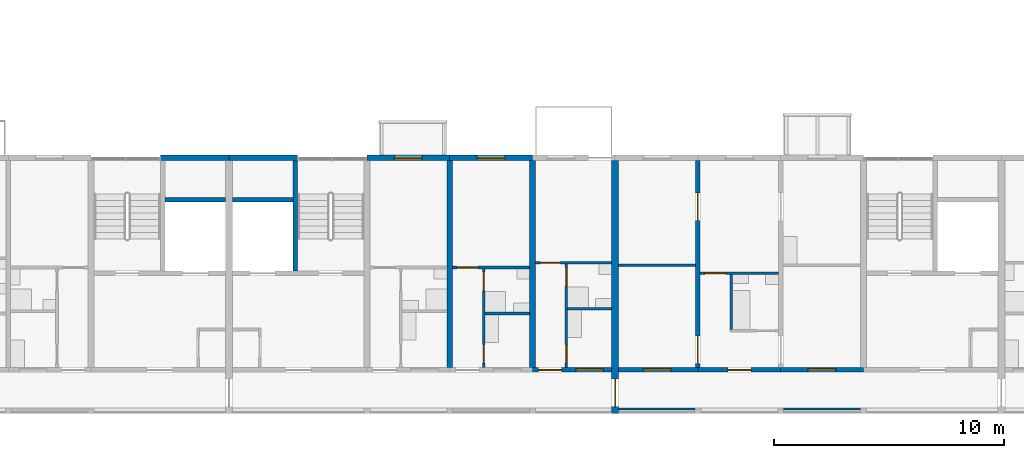
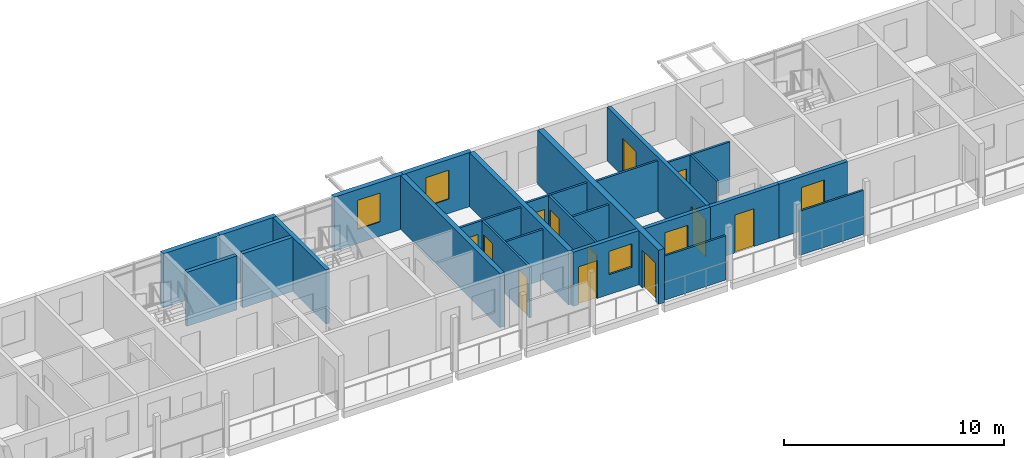
# One storey, part 31 of 99: 26 walls, 12 doors, 5 windows, 17 openings.
"""IFC4 building model written with IfcOpenShell, lengths in metres."""

from ifc_helpers import new_model, si_unit, direction, frame, frame_2d, origin, place, context, subcontext, project, spatial, rectangle, extrude, material, layer, layer_set, type_object, element, fill, save


model = new_model("IFC4")

# Units and contexts
model_context = context("Model", 3, precision=1e-05, world=origin(), true_north=direction((0.0, 1.0)))
body_context = subcontext(model_context, "Body", "Model", "MODEL_VIEW")
ifc_project = project(units=[si_unit("LENGTHUNIT", "METRE"), si_unit("AREAUNIT", "SQUARE_METRE"), si_unit("VOLUMEUNIT", "CUBIC_METRE"), si_unit("PLANEANGLEUNIT", "RADIAN"), si_unit("MASSUNIT", "GRAM", prefix="KILO")], contexts=[model_context])

# Site, building, storey
site_placement = place(None, origin())
site = spatial("IfcSite", under=ifc_project, at=site_placement, CompositionType="ELEMENT")
building_placement = place(site_placement, origin())
building = spatial("IfcBuilding", under=site, at=building_placement, Name="Ridgestep Commons", CompositionType="ELEMENT")
storey_placement = place(building_placement, frame((0.0, 0.0, 15.0)))
storey = spatial("IfcBuildingStorey", under=building, at=storey_placement, Name="L05", CompositionType="ELEMENT", Elevation=15.0)

# Walls
ifc_material_1 = material(Name="Concrete C30/37", Category="concrete")
ifc_layer_1 = layer(ifc_material_1, 0.199951171875)
ifc_layer_set_1 = layer_set([ifc_layer_1], Name="Core wall 200")
wall_type_1 = type_object("IfcWallType", Name="Core wall 200", PredefinedType="SHEAR", material=ifc_layer_set_1)
wall_1_placement = place(storey_placement, frame((42.824951171875, 21.050048828125, 0.0), z_axis=(0.0, 0.0, 1.0), x_axis=(1.0, 0.0, 0.0)))
element("IfcWall", 1, at=wall_1_placement, inside=storey, type_object=wall_type_1, Name="Core duct wall A2C L05", PredefinedType="SHEAR", context=body_context, shape_type="SweptSolid", body=[
    extrude(rectangle(XDim=2.625, YDim=0.199951171875, at=frame_2d((1.3125, 0.0))), origin(), (0.0, 0.0, 1.0), 3.0),
])
wall_2_placement = place(storey_placement, frame((48.47509765625, 17.949951171875, 0.0), z_axis=(0.0, 0.0, 1.0), x_axis=(0.0, 1.0, 0.0)))
element("IfcWall", 2, at=wall_2_placement, inside=storey, type_object=wall_type_1, Name="Core stair wall A3C L05", PredefinedType="SHEAR", context=body_context, shape_type="SweptSolid", body=[
    extrude(rectangle(XDim=4.800048828125, YDim=0.199951171875, at=frame_2d((2.39990234375, 0.0))), origin(), (0.0, 0.0, 1.0), 3.0),
])
wall_3_placement = place(storey_placement, frame((45.75, 21.050048828125, 0.0), z_axis=(0.0, 0.0, 1.0), x_axis=(1.0, 0.0, 0.0)))
element("IfcWall", 3, at=wall_3_placement, inside=storey, type_object=wall_type_1, Name="Core duct wall A3C L05", PredefinedType="SHEAR", context=body_context, shape_type="SweptSolid", body=[
    extrude(rectangle(XDim=2.625, YDim=0.199951171875, at=frame_2d((1.3125, 0.0))), origin(), (0.0, 0.0, 1.0), 3.0),
])

# Wall, openings, doors
ifc_material_2 = material(Name="Precast concrete C40/50", Category="concrete")
ifc_layer_2 = layer(ifc_material_2, 0.199951171875)
ifc_layer_set_2 = layer_set([ifc_layer_2], Name="Cross wall 200")
wall_type_2 = type_object("IfcWallType", Name="Cross wall 200", PredefinedType="SHEAR", material=ifc_layer_set_2)
wall_4_placement = place(storey_placement, frame((66.0, 13.75, 0.0), z_axis=(0.0, 0.0, 1.0), x_axis=(0.0, 1.0, 0.0)))
wall_4 = element("IfcWall", 4, at=wall_4_placement, inside=storey, type_object=wall_type_2, Name="Cross wall A-05-0660", PredefinedType="SHEAR", context=body_context, shape_type="SweptSolid", body=[
    extrude(rectangle(XDim=9.0, YDim=0.199951171875, at=frame_2d((4.5, 0.0))), origin(), (0.0, 0.0, 1.0), 3.0),
])
opening_1_placement = place(wall_4_placement, frame((0.175048828125, 0.0, 0.0)))
opening_1 = element("IfcOpeningElement", 5, at=opening_1_placement, cuts=wall_4, Name="Opening A4-05a/4", PredefinedType="OPENING", context=body_context, shape_type="SweptSolid", body=[
    extrude(rectangle(XDim=1.199951171875, YDim=2.10009765625, at=frame_2d((0.60009765625, 1.050048828125))), frame((0.0, 0.10986328125, 0.0), z_axis=(0.0, -1.0, 0.0), x_axis=(1.0, 0.0, 0.0)), (0.0, 0.0, 1.0), 0.219970703125),
])
opening_2_placement = place(wall_4_placement, frame((6.39990234375, 0.0, 0.0)))
opening_2 = element("IfcOpeningElement", 6, at=opening_2_placement, cuts=wall_4, Name="Opening A4-05a/5", PredefinedType="OPENING", context=body_context, shape_type="SweptSolid", body=[
    extrude(rectangle(XDim=1.199951171875, YDim=2.10009765625, at=frame_2d((0.60009765625, 1.050048828125))), frame((0.0, 0.10986328125, 0.0), z_axis=(0.0, -1.0, 0.0), x_axis=(1.0, 0.0, 0.0)), (0.0, 0.0, 1.0), 0.219970703125),
])
ifc_material_3 = material(Name="Timber door leaf", Category="wood")
door_type_1 = type_object("IfcDoorType", Name="Double door 1200 x 2100", OperationType="DOUBLE_DOOR_SINGLE_SWING", PredefinedType="DOOR", material=ifc_material_3)
door_1_placement = place(opening_1_placement, origin())
door_1 = element("IfcDoor", 7, at=door_1_placement, inside=storey, type_object=door_type_1, Name="Double door A4-05a/4", OperationType="DOUBLE_DOOR_SINGLE_SWING", OverallHeight=2.10009765625, OverallWidth=1.199951171875, PredefinedType="DOOR", context=body_context, shape_type="SweptSolid", body=[
    extrude(rectangle(XDim=1.199951171875, YDim=2.10009765625, at=frame_2d((0.60009765625, 1.050048828125))), frame((0.0, 0.02490234375, 0.0), z_axis=(0.0, -1.0, 0.0), x_axis=(1.0, 0.0, 0.0)), (0.0, 0.0, 1.0), 0.050048828125),
])
fill(opening_1, door_1)
door_2_placement = place(opening_2_placement, origin())
door_2 = element("IfcDoor", 8, at=door_2_placement, inside=storey, type_object=door_type_1, Name="Double door A4-05a/5", OperationType="DOUBLE_DOOR_SINGLE_SWING", OverallHeight=2.10009765625, OverallWidth=1.199951171875, PredefinedType="DOOR", context=body_context, shape_type="SweptSolid", body=[
    extrude(rectangle(XDim=1.199951171875, YDim=2.10009765625, at=frame_2d((0.60009765625, 1.050048828125))), frame((0.0, 0.02490234375, 0.0), z_axis=(0.0, -1.0, 0.0), x_axis=(1.0, 0.0, 0.0)), (0.0, 0.0, 1.0), 0.050048828125),
])
fill(opening_2, door_2)

# Walls
ifc_material_4 = material(Name="Precast concrete C40/50", Category="concrete")
ifc_layer_3 = layer(ifc_material_4, 0.25)
ifc_layer_set_3 = layer_set([ifc_layer_3], Name="Cross wall 250")
wall_type_3 = type_object("IfcWallType", Name="Cross wall 250", PredefinedType="SHEAR", material=ifc_layer_set_3)
for number, where, z_axis, x_axis, name in (
    (9, (55.199951171875, 13.75, 0.0), (0.0, 0.0, 1.0), (0.0, 1.0, 0.0), "Cross wall A-05-0552"),
    (10, (58.800048828125, 13.75, 0.0), (0.0, 0.0, 1.0), (0.0, 1.0, 0.0), "Cross wall A-05-0588"),
):
    element("IfcWall", number, at=place(storey_placement, frame(where, z_axis=z_axis, x_axis=x_axis)), inside=storey, type_object=wall_type_3, Name=name, PredefinedType="SHEAR", context=body_context, shape_type="SweptSolid", body=[
        extrude(rectangle(XDim=9.0, YDim=0.25, at=frame_2d((4.5, 0.0))), origin(), (0.0, 0.0, 1.0), 3.0),
    ])

# Wall, opening, door
ifc_material_5 = material(Name="Precast concrete C40/50", Category="concrete")
ifc_layer_4 = layer(ifc_material_5, 0.300048828125)
ifc_layer_set_4 = layer_set([ifc_layer_4], Name="Division wall 300")
wall_type_4 = type_object("IfcWallType", Name="Division wall 300", PredefinedType="SHEAR", material=ifc_layer_set_4)
wall_5_placement = place(storey_placement, frame((62.39990234375, 11.75, 0.0), z_axis=(0.0, 0.0, 1.0), x_axis=(0.0, 1.0, 0.0)))
wall_5 = element("IfcWall", 11, at=wall_5_placement, inside=storey, type_object=wall_type_4, Name="Cross wall A-05-0624", PredefinedType="SHEAR", context=body_context, shape_type="SweptSolid", body=[
    extrude(rectangle(XDim=11.0, YDim=0.300048828125, at=frame_2d((5.5, 0.0))), origin(), (0.0, 0.0, 1.0), 3.0),
])
opening_3_placement = place(wall_5_placement, frame((0.300048828125, 0.0, 0.0)))
opening_3 = element("IfcOpeningElement", 12, at=opening_3_placement, cuts=wall_5, Name="Opening A/05/G0624", PredefinedType="OPENING", context=body_context, shape_type="SweptSolid", body=[
    extrude(rectangle(XDim=1.199951171875, YDim=2.10009765625, at=frame_2d((0.60009765625, 1.050048828125))), frame((0.0, 0.159912109375, 0.0), z_axis=(0.0, -1.0, 0.0), x_axis=(1.0, 0.0, 0.0)), (0.0, 0.0, 1.0), 0.320068359375),
])
ifc_material_6 = material(Name="Steel fire door", Category="steel")
door_type_2 = type_object("IfcDoorType", Name="Division fire door 1200 x 2100 EI 240", OperationType="DOUBLE_DOOR_SINGLE_SWING", PredefinedType="DOOR", material=ifc_material_6)
door_3_placement = place(opening_3_placement, origin())
door_3 = element("IfcDoor", 13, at=door_3_placement, inside=storey, type_object=door_type_2, Name="Division fire door A/05/G0624", OperationType="DOUBLE_DOOR_SINGLE_SWING", OverallHeight=2.10009765625, OverallWidth=1.199951171875, PredefinedType="DOOR", context=body_context, shape_type="SweptSolid", body=[
    extrude(rectangle(XDim=1.199951171875, YDim=2.10009765625, at=frame_2d((0.60009765625, 1.050048828125))), frame((0.0, 0.02490234375, 0.0), z_axis=(0.0, -1.0, 0.0), x_axis=(1.0, 0.0, 0.0)), (0.0, 0.0, 1.0), 0.050048828125),
])
fill(opening_3, door_3)

# Walls
ifc_material_7 = material(Name="Precast concrete C40/50", Category="concrete")
ifc_layer_5 = layer(ifc_material_7, 0.25)
ifc_layer_set_5 = layer_set([ifc_layer_5], Name="North facade panel 250")
wall_type_5 = type_object("IfcWallType", Name="North facade panel 250", PredefinedType="SOLIDWALL", material=ifc_layer_set_5)
wall_6_placement = place(storey_placement, frame((42.625, 22.875, 0.0), z_axis=(0.0, 0.0, 1.0), x_axis=(1.0, 0.0, 0.0)))
element("IfcWall", 14, at=wall_6_placement, inside=storey, type_object=wall_type_5, Name="North panel A2C L05", PredefinedType="SOLIDWALL", context=body_context, shape_type="SweptSolid", body=[
    extrude(rectangle(XDim=2.97509765625, YDim=0.25, at=frame_2d((1.487548828125, 0.0))), origin(), (0.0, 0.0, 1.0), 3.0),
])
wall_7_placement = place(storey_placement, frame((45.60009765625, 22.875, 0.0), z_axis=(0.0, 0.0, 1.0), x_axis=(1.0, 0.0, 0.0)))
element("IfcWall", 15, at=wall_7_placement, inside=storey, type_object=wall_type_5, Name="North panel A3C L05", PredefinedType="SOLIDWALL", context=body_context, shape_type="SweptSolid", body=[
    extrude(rectangle(XDim=2.974853515625, YDim=0.25, at=frame_2d((1.4873046875, 0.0))), origin(), (0.0, 0.0, 1.0), 3.0),
])

# Wall, opening, window
wall_8_placement = place(storey_placement, frame((51.60009765625, 22.875, 0.0), z_axis=(0.0, 0.0, 1.0), x_axis=(1.0, 0.0, 0.0)))
wall_8 = element("IfcWall", 16, at=wall_8_placement, inside=storey, type_object=wall_type_5, Name="North panel A3T3 L05", PredefinedType="SOLIDWALL", context=body_context, shape_type="SweptSolid", body=[
    extrude(rectangle(XDim=3.599853515625, YDim=0.25, at=frame_2d((1.7998046875, 0.0))), origin(), (0.0, 0.0, 1.0), 3.0),
])
opening_4_placement = place(wall_8_placement, frame((1.199951171875, 0.0, 0.800048828125)))
opening_4 = element("IfcOpeningElement", 17, at=opening_4_placement, cuts=wall_8, Name="Opening W11", PredefinedType="OPENING", context=body_context, shape_type="SweptSolid", body=[
    extrude(rectangle(XDim=1.199951171875, YDim=1.60009765625, at=frame_2d((0.60009765625, 0.800048828125))), frame((0.0, 0.135009765625, 0.0), z_axis=(0.0, -1.0, 0.0), x_axis=(1.0, 0.0, 0.0)), (0.0, 0.0, 1.0), 0.27001953125),
])
ifc_material_8 = material(Name="Aluminium 6063-T6 and glass", Category="aluminium")
window_type_1 = type_object("IfcWindowType", Name="Flat window 1200 x 1600", PartitioningType="SINGLE_PANEL", PredefinedType="WINDOW", material=ifc_material_8)
window_1_placement = place(opening_4_placement, origin())
window_1 = element("IfcWindow", 18, at=window_1_placement, inside=storey, type_object=window_type_1, Name="Window A3-05c 2", OverallHeight=1.60009765625, OverallWidth=1.199951171875, PartitioningType="SINGLE_PANEL", PredefinedType="WINDOW", context=body_context, shape_type="SweptSolid", body=[
    extrude(rectangle(XDim=1.199951171875, YDim=1.60009765625, at=frame_2d((0.60009765625, 0.800048828125))), frame((0.0, -0.02490234375, 0.0), z_axis=(0.0, -1.0, 0.0), x_axis=(1.0, 0.0, 0.0)), (0.0, 0.0, 1.0), 0.06005859375),
])
fill(opening_4, window_1)

wall_9_placement = place(storey_placement, frame((55.199951171875, 22.875, 0.0), z_axis=(0.0, 0.0, 1.0), x_axis=(1.0, 0.0, 0.0)))
wall_9 = element("IfcWall", 19, at=wall_9_placement, inside=storey, type_object=wall_type_5, Name="North panel A3T2 L05", PredefinedType="SOLIDWALL", context=body_context, shape_type="SweptSolid", body=[
    extrude(rectangle(XDim=3.60009765625, YDim=0.25, at=frame_2d((1.800048828125, 0.0))), origin(), (0.0, 0.0, 1.0), 3.0),
])
opening_5_placement = place(wall_9_placement, frame((1.199951171875, 0.0, 0.800048828125)))
opening_5 = element("IfcOpeningElement", 20, at=opening_5_placement, cuts=wall_9, Name="Opening W11", PredefinedType="OPENING", context=body_context, shape_type="SweptSolid", body=[
    extrude(rectangle(XDim=1.199951171875, YDim=1.60009765625, at=frame_2d((0.60009765625, 0.800048828125))), frame((0.0, 0.135009765625, 0.0), z_axis=(0.0, -1.0, 0.0), x_axis=(1.0, 0.0, 0.0)), (0.0, 0.0, 1.0), 0.27001953125),
])
window_2_placement = place(opening_5_placement, origin())
window_2 = element("IfcWindow", 21, at=window_2_placement, inside=storey, type_object=window_type_1, Name="Window A3-05b 2", OverallHeight=1.60009765625, OverallWidth=1.199951171875, PartitioningType="SINGLE_PANEL", PredefinedType="WINDOW", context=body_context, shape_type="SweptSolid", body=[
    extrude(rectangle(XDim=1.199951171875, YDim=1.60009765625, at=frame_2d((0.60009765625, 0.800048828125))), frame((0.0, -0.02490234375, 0.0), z_axis=(0.0, -1.0, 0.0), x_axis=(1.0, 0.0, 0.0)), (0.0, 0.0, 1.0), 0.06005859375),
])
fill(opening_5, window_2)

# Wall, openings, doors
ifc_material_9 = material(Name="Common brick 110 mm", Category="masonry")
ifc_layer_6 = layer(ifc_material_9, 0.110107421875)
ifc_layer_set_6 = layer_set([ifc_layer_6], Name="Partition 110")
wall_type_6 = type_object("IfcWallType", Name="Partition 110", PredefinedType="PARTITIONING", material=ifc_layer_set_6)
wall_10_placement = place(storey_placement, frame((60.280029296875, 13.75, 0.0), z_axis=(0.0, 0.0, 1.0), x_axis=(0.0, 1.0, 0.0)))
wall_10 = element("IfcWall", 22, at=wall_10_placement, inside=storey, type_object=wall_type_6, Name="Partition A3-05a", PredefinedType="PARTITIONING", context=body_context, shape_type="SweptSolid", body=[
    extrude(rectangle(XDim=4.5, YDim=0.110107421875, at=frame_2d((2.25, 0.0))), origin(), (0.0, 0.0, 1.0), 2.800048828125),
])
opening_6_placement = place(wall_10_placement, frame((0.199951171875, 0.0, 0.0)))
opening_6 = element("IfcOpeningElement", 23, at=opening_6_placement, cuts=wall_10, Name="Opening A3-05a/2", PredefinedType="OPENING", context=body_context, shape_type="SweptSolid", body=[
    extrude(rectangle(XDim=0.800048828125, YDim=2.10009765625, at=frame_2d((0.39990234375, 1.050048828125))), frame((0.0, 0.06494140625, 0.0), z_axis=(0.0, -1.0, 0.0), x_axis=(1.0, 0.0, 0.0)), (0.0, 0.0, 1.0), 0.130126953125),
])
opening_7_placement = place(wall_10_placement, frame((3.550048828125, 0.0, 0.0)))
opening_7 = element("IfcOpeningElement", 24, at=opening_7_placement, cuts=wall_10, Name="Opening A3-05a/3", PredefinedType="OPENING", context=body_context, shape_type="SweptSolid", body=[
    extrude(rectangle(XDim=0.800048828125, YDim=2.10009765625, at=frame_2d((0.39990234375, 1.050048828125))), frame((0.0, 0.06494140625, 0.0), z_axis=(0.0, -1.0, 0.0), x_axis=(1.0, 0.0, 0.0)), (0.0, 0.0, 1.0), 0.130126953125),
])
ifc_material_10 = material(Name="Timber door leaf", Category="wood")
door_type_3 = type_object("IfcDoorType", Name="Internal door 800 x 2100", OperationType="NOTDEFINED", PredefinedType="DOOR", material=ifc_material_10)
door_4_placement = place(opening_6_placement, origin())
door_4 = element("IfcDoor", 25, at=door_4_placement, inside=storey, type_object=door_type_3, Name="Internal door A3-05a/2", OperationType="SINGLE_SWING_RIGHT", OverallHeight=2.10009765625, OverallWidth=0.800048828125, PredefinedType="DOOR", context=body_context, shape_type="SweptSolid", body=[
    extrude(rectangle(XDim=0.800048828125, YDim=2.10009765625, at=frame_2d((0.39990234375, 1.050048828125))), frame((0.0, 0.02490234375, 0.0), z_axis=(0.0, -1.0, 0.0), x_axis=(1.0, 0.0, 0.0)), (0.0, 0.0, 1.0), 0.050048828125),
])
fill(opening_6, door_4)
door_5_placement = place(opening_7_placement, origin())
door_5 = element("IfcDoor", 26, at=door_5_placement, inside=storey, type_object=door_type_3, Name="Internal door A3-05a/3", OperationType="SINGLE_SWING_LEFT", OverallHeight=2.10009765625, OverallWidth=0.800048828125, PredefinedType="DOOR", context=body_context, shape_type="SweptSolid", body=[
    extrude(rectangle(XDim=0.800048828125, YDim=2.10009765625, at=frame_2d((0.39990234375, 1.050048828125))), frame((0.0, 0.02490234375, 0.0), z_axis=(0.0, -1.0, 0.0), x_axis=(1.0, 0.0, 0.0)), (0.0, 0.0, 1.0), 0.050048828125),
])
fill(opening_7, door_5)

# Wall
wall_11_placement = place(storey_placement, frame((60.3349609375, 16.304931640625, 0.0), z_axis=(0.0, 0.0, 1.0), x_axis=(1.0, 0.0, 0.0)))
element("IfcWall", 27, at=wall_11_placement, inside=storey, type_object=wall_type_6, Name="Partition A3-05a", PredefinedType="PARTITIONING", context=body_context, shape_type="SweptSolid", body=[
    extrude(rectangle(XDim=1.9150390625, YDim=0.110107421875, at=frame_2d((0.95751953125, 0.0))), origin(), (0.0, 0.0, 1.0), 2.800048828125),
])

# Wall, opening, door
wall_12_placement = place(storey_placement, frame((58.925048828125, 18.304931640625, 0.0), z_axis=(0.0, 0.0, 1.0), x_axis=(1.0, 0.0, 0.0)))
wall_12 = element("IfcWall", 28, at=wall_12_placement, inside=storey, type_object=wall_type_6, Name="Partition A3-05a", PredefinedType="PARTITIONING", context=body_context, shape_type="SweptSolid", body=[
    extrude(rectangle(XDim=3.324951171875, YDim=0.110107421875, at=frame_2d((1.66259765625, 0.0))), origin(), (0.0, 0.0, 1.0), 2.800048828125),
])
opening_8_placement = place(wall_12_placement, frame((0.199951171875, 0.0, 0.0)))
opening_8 = element("IfcOpeningElement", 29, at=opening_8_placement, cuts=wall_12, Name="Opening A3-05a/4", PredefinedType="OPENING", context=body_context, shape_type="SweptSolid", body=[
    extrude(rectangle(XDim=0.89990234375, YDim=2.10009765625, at=frame_2d((0.449951171875, 1.050048828125))), frame((0.0, 0.06494140625, 0.0), z_axis=(0.0, -1.0, 0.0), x_axis=(1.0, 0.0, 0.0)), (0.0, 0.0, 1.0), 0.130126953125),
])
ifc_material_11 = material(Name="Timber door leaf", Category="wood")
door_type_4 = type_object("IfcDoorType", Name="Internal door 900 x 2100", OperationType="NOTDEFINED", PredefinedType="DOOR", material=ifc_material_11)
door_6_placement = place(opening_8_placement, origin())
door_6 = element("IfcDoor", 30, at=door_6_placement, inside=storey, type_object=door_type_4, Name="Internal door A3-05a/4", OperationType="SINGLE_SWING_LEFT", OverallHeight=2.10009765625, OverallWidth=0.89990234375, PredefinedType="DOOR", context=body_context, shape_type="SweptSolid", body=[
    extrude(rectangle(XDim=0.89990234375, YDim=2.10009765625, at=frame_2d((0.449951171875, 1.050048828125))), frame((0.0, 0.02490234375, 0.0), z_axis=(0.0, -1.0, 0.0), x_axis=(1.0, 0.0, 0.0)), (0.0, 0.0, 1.0), 0.050048828125),
])
fill(opening_8, door_6)

# Wall, openings, doors
wall_13_placement = place(storey_placement, frame((56.679931640625, 13.75, 0.0), z_axis=(0.0, 0.0, 1.0), x_axis=(0.0, 1.0, 0.0)))
wall_13 = element("IfcWall", 31, at=wall_13_placement, inside=storey, type_object=wall_type_6, Name="Partition A3-05b", PredefinedType="PARTITIONING", context=body_context, shape_type="SweptSolid", body=[
    extrude(rectangle(XDim=4.300048828125, YDim=0.110107421875, at=frame_2d((2.14990234375, 0.0))), origin(), (0.0, 0.0, 1.0), 2.800048828125),
])
opening_9_placement = place(wall_13_placement, frame((0.199951171875, 0.0, 0.0)))
opening_9 = element("IfcOpeningElement", 32, at=opening_9_placement, cuts=wall_13, Name="Opening A3-05b/2", PredefinedType="OPENING", context=body_context, shape_type="SweptSolid", body=[
    extrude(rectangle(XDim=0.800048828125, YDim=2.10009765625, at=frame_2d((0.39990234375, 1.050048828125))), frame((0.0, 0.06494140625, 0.0), z_axis=(0.0, -1.0, 0.0), x_axis=(1.0, 0.0, 0.0)), (0.0, 0.0, 1.0), 0.130126953125),
])
opening_10_placement = place(wall_13_placement, frame((3.35009765625, 0.0, 0.0)))
opening_10 = element("IfcOpeningElement", 33, at=opening_10_placement, cuts=wall_13, Name="Opening A3-05b/3", PredefinedType="OPENING", context=body_context, shape_type="SweptSolid", body=[
    extrude(rectangle(XDim=0.800048828125, YDim=2.10009765625, at=frame_2d((0.39990234375, 1.050048828125))), frame((0.0, 0.06494140625, 0.0), z_axis=(0.0, -1.0, 0.0), x_axis=(1.0, 0.0, 0.0)), (0.0, 0.0, 1.0), 0.130126953125),
])
door_7_placement = place(opening_9_placement, origin())
door_7 = element("IfcDoor", 34, at=door_7_placement, inside=storey, type_object=door_type_3, Name="Internal door A3-05b/2", OperationType="SINGLE_SWING_RIGHT", OverallHeight=2.10009765625, OverallWidth=0.800048828125, PredefinedType="DOOR", context=body_context, shape_type="SweptSolid", body=[
    extrude(rectangle(XDim=0.800048828125, YDim=2.10009765625, at=frame_2d((0.39990234375, 1.050048828125))), frame((0.0, 0.02490234375, 0.0), z_axis=(0.0, -1.0, 0.0), x_axis=(1.0, 0.0, 0.0)), (0.0, 0.0, 1.0), 0.050048828125),
])
fill(opening_9, door_7)
door_8_placement = place(opening_10_placement, origin())
door_8 = element("IfcDoor", 35, at=door_8_placement, inside=storey, type_object=door_type_3, Name="Internal door A3-05b/3", OperationType="SINGLE_SWING_LEFT", OverallHeight=2.10009765625, OverallWidth=0.800048828125, PredefinedType="DOOR", context=body_context, shape_type="SweptSolid", body=[
    extrude(rectangle(XDim=0.800048828125, YDim=2.10009765625, at=frame_2d((0.39990234375, 1.050048828125))), frame((0.0, 0.02490234375, 0.0), z_axis=(0.0, -1.0, 0.0), x_axis=(1.0, 0.0, 0.0)), (0.0, 0.0, 1.0), 0.050048828125),
])
fill(opening_10, door_8)

# Wall
wall_14_placement = place(storey_placement, frame((56.735107421875, 16.10498046875, 0.0), z_axis=(0.0, 0.0, 1.0), x_axis=(1.0, 0.0, 0.0)))
element("IfcWall", 36, at=wall_14_placement, inside=storey, type_object=wall_type_6, Name="Partition A3-05b", PredefinedType="PARTITIONING", context=body_context, shape_type="SweptSolid", body=[
    extrude(rectangle(XDim=1.93994140625, YDim=0.110107421875, at=frame_2d((0.969970703125, 0.0))), origin(), (0.0, 0.0, 1.0), 2.800048828125),
])

# Wall, opening, door
wall_15_placement = place(storey_placement, frame((55.324951171875, 18.10498046875, 0.0), z_axis=(0.0, 0.0, 1.0), x_axis=(1.0, 0.0, 0.0)))
wall_15 = element("IfcWall", 37, at=wall_15_placement, inside=storey, type_object=wall_type_6, Name="Partition A3-05b", PredefinedType="PARTITIONING", context=body_context, shape_type="SweptSolid", body=[
    extrude(rectangle(XDim=3.35009765625, YDim=0.110107421875, at=frame_2d((1.675048828125, 0.0))), origin(), (0.0, 0.0, 1.0), 2.800048828125),
])
opening_11_placement = place(wall_15_placement, frame((0.199951171875, 0.0, 0.0)))
opening_11 = element("IfcOpeningElement", 38, at=opening_11_placement, cuts=wall_15, Name="Opening A3-05b/4", PredefinedType="OPENING", context=body_context, shape_type="SweptSolid", body=[
    extrude(rectangle(XDim=0.89990234375, YDim=2.10009765625, at=frame_2d((0.449951171875, 1.050048828125))), frame((0.0, 0.06494140625, 0.0), z_axis=(0.0, -1.0, 0.0), x_axis=(1.0, 0.0, 0.0)), (0.0, 0.0, 1.0), 0.130126953125),
])
door_9_placement = place(opening_11_placement, origin())
door_9 = element("IfcDoor", 39, at=door_9_placement, inside=storey, type_object=door_type_4, Name="Internal door A3-05b/4", OperationType="SINGLE_SWING_LEFT", OverallHeight=2.10009765625, OverallWidth=0.89990234375, PredefinedType="DOOR", context=body_context, shape_type="SweptSolid", body=[
    extrude(rectangle(XDim=0.89990234375, YDim=2.10009765625, at=frame_2d((0.449951171875, 1.050048828125))), frame((0.0, 0.02490234375, 0.0), z_axis=(0.0, -1.0, 0.0), x_axis=(1.0, 0.0, 0.0)), (0.0, 0.0, 1.0), 0.050048828125),
])
fill(opening_11, door_9)

# Wall
wall_16_placement = place(storey_placement, frame((67.455078125, 15.409912109375, 0.0), z_axis=(0.0, 0.0, 1.0), x_axis=(0.0, 1.0, 0.0)))
element("IfcWall", 40, at=wall_16_placement, inside=storey, type_object=wall_type_6, Name="Partition A4-05a", PredefinedType="PARTITIONING", context=body_context, shape_type="SweptSolid", body=[
    extrude(rectangle(XDim=2.400146484375, YDim=0.110107421875, at=frame_2d((1.2001953125, 0.0))), origin(), (0.0, 0.0, 1.0), 2.800048828125),
])

# Wall, opening, door
wall_17_placement = place(storey_placement, frame((66.10009765625, 17.864990234375, 0.0), z_axis=(0.0, 0.0, 1.0), x_axis=(1.0, 0.0, 0.0)))
wall_17 = element("IfcWall", 41, at=wall_17_placement, inside=storey, type_object=wall_type_6, Name="Partition A4-05a", PredefinedType="PARTITIONING", context=body_context, shape_type="SweptSolid", body=[
    extrude(rectangle(XDim=3.39990234375, YDim=0.110107421875, at=frame_2d((1.699951171875, 0.0))), origin(), (0.0, 0.0, 1.0), 2.800048828125),
])
opening_12_placement = place(wall_17_placement, frame((0.199951171875, 0.0, 0.0)))
opening_12 = element("IfcOpeningElement", 42, at=opening_12_placement, cuts=wall_17, Name="Opening A4-05a/3", PredefinedType="OPENING", context=body_context, shape_type="SweptSolid", body=[
    extrude(rectangle(XDim=0.89990234375, YDim=2.10009765625, at=frame_2d((0.449951171875, 1.050048828125))), frame((0.0, 0.06494140625, 0.0), z_axis=(0.0, -1.0, 0.0), x_axis=(1.0, 0.0, 0.0)), (0.0, 0.0, 1.0), 0.130126953125),
])
door_10_placement = place(opening_12_placement, origin())
door_10 = element("IfcDoor", 43, at=door_10_placement, inside=storey, type_object=door_type_4, Name="Internal door A4-05a/3", OperationType="SINGLE_SWING_RIGHT", OverallHeight=2.10009765625, OverallWidth=0.89990234375, PredefinedType="DOOR", context=body_context, shape_type="SweptSolid", body=[
    extrude(rectangle(XDim=0.89990234375, YDim=2.10009765625, at=frame_2d((0.449951171875, 1.050048828125))), frame((0.0, 0.02490234375, 0.0), z_axis=(0.0, -1.0, 0.0), x_axis=(1.0, 0.0, 0.0)), (0.0, 0.0, 1.0), 0.050048828125),
])
fill(opening_12, door_10)

# Walls
wall_18_placement = place(storey_placement, frame((62.550048828125, 18.205078125, 0.0), z_axis=(0.0, 0.0, 1.0), x_axis=(1.0, 0.0, 0.0)))
element("IfcWall", 44, at=wall_18_placement, inside=storey, type_object=wall_type_6, Name="Partition A4-05a", PredefinedType="PARTITIONING", context=body_context, shape_type="SweptSolid", body=[
    extrude(rectangle(XDim=3.349853515625, YDim=0.110107421875, at=frame_2d((1.6748046875, 0.0))), origin(), (0.0, 0.0, 1.0), 2.800048828125),
])
ifc_material_12 = material(Name="Precast concrete C30/37", Category="concrete")
ifc_layer_7 = layer(ifc_material_12, 0.10009765625)
ifc_layer_set_7 = layer_set([ifc_layer_7], Name="Perforated gallery screen 3325 x 2450 x 100")
wall_type_7 = type_object("IfcWallType", Name="Perforated gallery screen 3325 x 2450 x 100", PredefinedType="SOLIDWALL", material=ifc_layer_set_7)
wall_19_placement = place(storey_placement, frame((62.550048828125, 11.949951171875, 0.0), z_axis=(0.0, 0.0, 1.0), x_axis=(1.0, 0.0, 0.0)))
element("IfcWall", 45, at=wall_19_placement, inside=storey, type_object=wall_type_7, Name="Gallery screen A4T1 05", PredefinedType="SOLIDWALL", context=body_context, shape_type="SweptSolid", body=[
    extrude(rectangle(XDim=3.324951171875, YDim=0.10009765625, at=frame_2d((1.66259765625, 0.0))), origin(), (0.0, 0.0, 1.0), 2.449951171875),
])
ifc_material_13 = material(Name="Precast concrete C30/37", Category="concrete")
ifc_layer_8 = layer(ifc_material_13, 0.10009765625)
ifc_layer_set_8 = layer_set([ifc_layer_8], Name="Perforated gallery screen 3350 x 2450 x 100")
wall_type_8 = type_object("IfcWallType", Name="Perforated gallery screen 3350 x 2450 x 100", PredefinedType="SOLIDWALL", material=ifc_layer_set_8)
wall_20_placement = place(storey_placement, frame((69.72509765625, 11.949951171875, 0.0), z_axis=(0.0, 0.0, 1.0), x_axis=(1.0, 0.0, 0.0)))
element("IfcWall", 46, at=wall_20_placement, inside=storey, type_object=wall_type_8, Name="Gallery screen A4T3 05", PredefinedType="SOLIDWALL", context=body_context, shape_type="SweptSolid", body=[
    extrude(rectangle(XDim=3.349853515625, YDim=0.10009765625, at=frame_2d((1.6748046875, 0.0))), origin(), (0.0, 0.0, 1.0), 2.449951171875),
])

# Wall, openings, door, window
ifc_material_14 = material(Name="Precast concrete C40/50", Category="concrete")
ifc_layer_9 = layer(ifc_material_14, 0.199951171875)
ifc_layer_set_9 = layer_set([ifc_layer_9], Name="South facade panel 200")
wall_type_9 = type_object("IfcWallType", Name="South facade panel 200", PredefinedType="SOLIDWALL", material=ifc_layer_set_9)
wall_21_placement = place(storey_placement, frame((58.800048828125, 13.64990234375, 0.0), z_axis=(0.0, 0.0, 1.0), x_axis=(1.0, 0.0, 0.0)))
wall_21 = element("IfcWall", 47, at=wall_21_placement, inside=storey, type_object=wall_type_9, Name="South panel A3T1 L05", PredefinedType="SOLIDWALL", context=body_context, shape_type="SweptSolid", body=[
    extrude(rectangle(XDim=3.449951171875, YDim=0.199951171875, at=frame_2d((1.72509765625, 0.0))), origin(), (0.0, 0.0, 1.0), 3.0),
])
opening_13_placement = place(wall_21_placement, frame((1.892578125, 0.0, 1.10009765625)))
opening_13 = element("IfcOpeningElement", 48, at=opening_13_placement, cuts=wall_21, Name="Opening W08", PredefinedType="OPENING", context=body_context, shape_type="SweptSolid", body=[
    extrude(rectangle(XDim=1.199951171875, YDim=1.300048828125, at=frame_2d((0.60009765625, 0.64990234375))), frame((0.0, 0.10986328125, 0.0), z_axis=(0.0, -1.0, 0.0), x_axis=(1.0, 0.0, 0.0)), (0.0, 0.0, 1.0), 0.219970703125),
])
opening_14_placement = place(wall_21_placement, frame((0.27490234375, 0.0, 0.0)))
opening_14 = element("IfcOpeningElement", 49, at=opening_14_placement, cuts=wall_21, Name="Opening A3-05a/1", PredefinedType="OPENING", context=body_context, shape_type="SweptSolid", body=[
    extrude(rectangle(XDim=1.0, YDim=2.10009765625, at=frame_2d((0.5, 1.050048828125))), frame((0.0, 0.10986328125, 0.0), z_axis=(0.0, -1.0, 0.0), x_axis=(1.0, 0.0, 0.0)), (0.0, 0.0, 1.0), 0.219970703125),
])
ifc_material_15 = material(Name="Timber door leaf", Category="wood")
door_type_5 = type_object("IfcDoorType", Name="Flat entrance door 1000 x 2100 FD30S", OperationType="NOTDEFINED", PredefinedType="DOOR", material=ifc_material_15)
door_11_placement = place(opening_14_placement, origin())
door_11 = element("IfcDoor", 50, at=door_11_placement, inside=storey, type_object=door_type_5, Name="Flat entrance door A3-05a/1", OperationType="SINGLE_SWING_LEFT", OverallHeight=2.10009765625, OverallWidth=1.0, PredefinedType="DOOR", context=body_context, shape_type="SweptSolid", body=[
    extrude(rectangle(XDim=1.0, YDim=2.10009765625, at=frame_2d((0.5, 1.050048828125))), frame((0.0, 0.02490234375, 0.0), z_axis=(0.0, -1.0, 0.0), x_axis=(1.0, 0.0, 0.0)), (0.0, 0.0, 1.0), 0.050048828125),
])
fill(opening_14, door_11)
ifc_material_16 = material(Name="Aluminium 6063-T6 and glass", Category="aluminium")
window_type_2 = type_object("IfcWindowType", Name="Flat window 1200 x 1300", PartitioningType="SINGLE_PANEL", PredefinedType="WINDOW", material=ifc_material_16)
window_3_placement = place(opening_13_placement, origin())
window_3 = element("IfcWindow", 51, at=window_3_placement, inside=storey, type_object=window_type_2, Name="Window A3-05a 1", OverallHeight=1.300048828125, OverallWidth=1.199951171875, PartitioningType="SINGLE_PANEL", PredefinedType="WINDOW", context=body_context, shape_type="SweptSolid", body=[
    extrude(rectangle(XDim=1.199951171875, YDim=1.300048828125, at=frame_2d((0.60009765625, 0.64990234375))), frame((0.0, 0.06005859375, 0.0), z_axis=(0.0, -1.0, 0.0), x_axis=(1.0, 0.0, 0.0)), (0.0, 0.0, 1.0), 0.06005859375),
])
fill(opening_13, window_3)

# Wall, opening, window
wall_22_placement = place(storey_placement, frame((62.550048828125, 13.64990234375, 0.0), z_axis=(0.0, 0.0, 1.0), x_axis=(1.0, 0.0, 0.0)))
wall_22 = element("IfcWall", 52, at=wall_22_placement, inside=storey, type_object=wall_type_9, Name="South panel A4T1 L05", PredefinedType="SOLIDWALL", context=body_context, shape_type="SweptSolid", body=[
    extrude(rectangle(XDim=3.449951171875, YDim=0.199951171875, at=frame_2d((1.72509765625, 0.0))), origin(), (0.0, 0.0, 1.0), 3.0),
])
opening_15_placement = place(wall_22_placement, frame((1.074951171875, 0.0, 0.800048828125)))
opening_15 = element("IfcOpeningElement", 53, at=opening_15_placement, cuts=wall_22, Name="Opening W11", PredefinedType="OPENING", context=body_context, shape_type="SweptSolid", body=[
    extrude(rectangle(XDim=1.199951171875, YDim=1.60009765625, at=frame_2d((0.60009765625, 0.800048828125))), frame((0.0, 0.10986328125, 0.0), z_axis=(0.0, -1.0, 0.0), x_axis=(1.0, 0.0, 0.0)), (0.0, 0.0, 1.0), 0.219970703125),
])
window_4_placement = place(opening_15_placement, origin())
window_4 = element("IfcWindow", 54, at=window_4_placement, inside=storey, type_object=window_type_1, Name="Window A4-05a 1", OverallHeight=1.60009765625, OverallWidth=1.199951171875, PartitioningType="SINGLE_PANEL", PredefinedType="WINDOW", context=body_context, shape_type="SweptSolid", body=[
    extrude(rectangle(XDim=1.199951171875, YDim=1.60009765625, at=frame_2d((0.60009765625, 0.800048828125))), frame((0.0, 0.06005859375, 0.0), z_axis=(0.0, -1.0, 0.0), x_axis=(1.0, 0.0, 0.0)), (0.0, 0.0, 1.0), 0.06005859375),
])
fill(opening_15, window_4)

# Wall, opening, door
wall_23_placement = place(storey_placement, frame((66.0, 13.64990234375, 0.0), z_axis=(0.0, 0.0, 1.0), x_axis=(1.0, 0.0, 0.0)))
wall_23 = element("IfcWall", 55, at=wall_23_placement, inside=storey, type_object=wall_type_9, Name="South panel A4T2 L05", PredefinedType="SOLIDWALL", context=body_context, shape_type="SweptSolid", body=[
    extrude(rectangle(XDim=3.60009765625, YDim=0.199951171875, at=frame_2d((1.800048828125, 0.0))), origin(), (0.0, 0.0, 1.0), 3.0),
])
opening_16_placement = place(wall_23_placement, frame((1.300048828125, 0.0, 0.0)))
opening_16 = element("IfcOpeningElement", 56, at=opening_16_placement, cuts=wall_23, Name="Opening A4-05a/1", PredefinedType="OPENING", context=body_context, shape_type="SweptSolid", body=[
    extrude(rectangle(XDim=1.0, YDim=2.10009765625, at=frame_2d((0.5, 1.050048828125))), frame((0.0, 0.10986328125, 0.0), z_axis=(0.0, -1.0, 0.0), x_axis=(1.0, 0.0, 0.0)), (0.0, 0.0, 1.0), 0.219970703125),
])
door_12_placement = place(opening_16_placement, origin())
door_12 = element("IfcDoor", 57, at=door_12_placement, inside=storey, type_object=door_type_5, Name="Flat entrance door A4-05a/1", OperationType="SINGLE_SWING_LEFT", OverallHeight=2.10009765625, OverallWidth=1.0, PredefinedType="DOOR", context=body_context, shape_type="SweptSolid", body=[
    extrude(rectangle(XDim=1.0, YDim=2.10009765625, at=frame_2d((0.5, 1.050048828125))), frame((0.0, 0.02490234375, 0.0), z_axis=(0.0, -1.0, 0.0), x_axis=(1.0, 0.0, 0.0)), (0.0, 0.0, 1.0), 0.050048828125),
])
fill(opening_16, door_12)

# Wall, opening, window
wall_24_placement = place(storey_placement, frame((69.60009765625, 13.64990234375, 0.0), z_axis=(0.0, 0.0, 1.0), x_axis=(1.0, 0.0, 0.0)))
wall_24 = element("IfcWall", 58, at=wall_24_placement, inside=storey, type_object=wall_type_9, Name="South panel A4T3 L05", PredefinedType="SOLIDWALL", context=body_context, shape_type="SweptSolid", body=[
    extrude(rectangle(XDim=3.599853515625, YDim=0.199951171875, at=frame_2d((1.7998046875, 0.0))), origin(), (0.0, 0.0, 1.0), 3.0),
])
opening_17_placement = place(wall_24_placement, frame((1.1875, 0.0, 0.800048828125)))
opening_17 = element("IfcOpeningElement", 59, at=opening_17_placement, cuts=wall_24, Name="Opening W11", PredefinedType="OPENING", context=body_context, shape_type="SweptSolid", body=[
    extrude(rectangle(XDim=1.199951171875, YDim=1.60009765625, at=frame_2d((0.60009765625, 0.800048828125))), frame((0.0, 0.10986328125, 0.0), z_axis=(0.0, -1.0, 0.0), x_axis=(1.0, 0.0, 0.0)), (0.0, 0.0, 1.0), 0.219970703125),
])
window_5_placement = place(opening_17_placement, origin())
window_5 = element("IfcWindow", 60, at=window_5_placement, inside=storey, type_object=window_type_1, Name="Window A4-05a 3", OverallHeight=1.60009765625, OverallWidth=1.199951171875, PartitioningType="SINGLE_PANEL", PredefinedType="WINDOW", context=body_context, shape_type="SweptSolid", body=[
    extrude(rectangle(XDim=1.199951171875, YDim=1.60009765625, at=frame_2d((0.60009765625, 0.800048828125))), frame((0.0, 0.06005859375, 0.0), z_axis=(0.0, -1.0, 0.0), x_axis=(1.0, 0.0, 0.0)), (0.0, 0.0, 1.0), 0.06005859375),
])
fill(opening_17, window_5)

save(model, "model.ifc")
